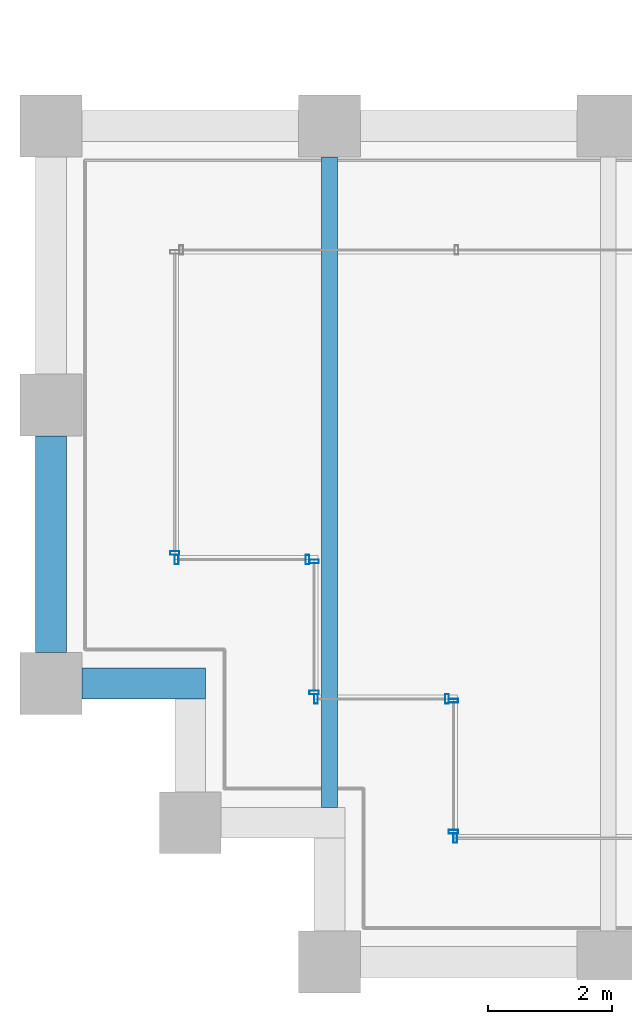
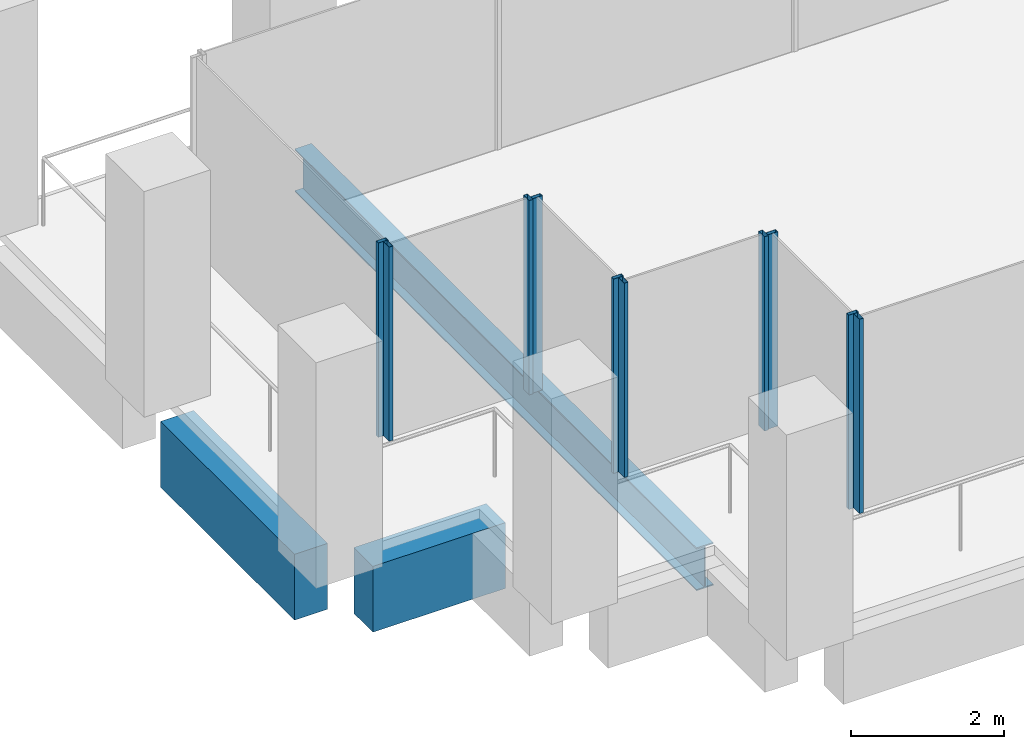
# One storey, part 2 of 46: 10 members, 3 beams, 6 elements without a shape of their own.
"""IFC4 building model written with IfcOpenShell, lengths in metres."""

import ifcopenshell
import ifcopenshell.guid

model = None  # the IFC model being written
_history = None  # IfcOwnerHistory: only IFC2X3 demands one
_inside = {}  # id of a spatial element -> (the spatial element, [elements in it])
_under = {}  # id of a project, library or spatial element -> (it, [spatial elements below it])
_declared = {}  # id of a project -> (the project, [libraries it declares])
_typed = {}  # id of a type object -> (the type object, [elements of that type])
_made_of = {}  # id of a material, layer set ... -> (it, [elements and type objects made of it])


def new_model(schema):
    """Start an empty IFC model of exactly this schema.

    Asked for "IFC4X3", IfcOpenShell would pick the latest addendum, in which some entities
    have other attributes; the version numbers below select the first issue.
    IFC2X3 requires an IfcOwnerHistory on every rooted entity: one is made here for all.
    """
    global model, _history
    if schema == "IFC4X3":
        model = ifcopenshell.file(schema_version=(4, 3, 0, 0))
    else:
        model = ifcopenshell.file(schema=schema)
    _inside.clear()
    _under.clear()
    _declared.clear()
    _typed.clear()
    _made_of.clear()
    _history = None
    if model.schema == "IFC2X3":
        org = make("IfcOrganization", Name="unknown")
        user = make(
            "IfcPersonAndOrganization",
            ThePerson=make("IfcPerson", FamilyName="unknown"),
            TheOrganization=org,
        )
        app = make(
            "IfcApplication",
            ApplicationDeveloper=org,
            Version="unknown",
            ApplicationFullName="unknown",
            ApplicationIdentifier="unknown",
        )
        _history = make(
            "IfcOwnerHistory",
            OwningUser=user,
            OwningApplication=app,
            ChangeAction="ADDED",
            CreationDate=0,
        )
    return model


def make(cls, **values):
    """One entity of the class cls with the attributes given. An attribute that is None is left unset."""
    return model.create_entity(
        cls, **{name: value for name, value in values.items() if value is not None}
    )


def rooted(cls, **values):
    """An entity with a GlobalId (a new one), such as an element, a storey or a relation."""
    return make(cls, GlobalId=ifcopenshell.guid.new(), OwnerHistory=_history, **values)


def si_unit(unit_type, name, prefix=None):
    """IfcSIUnit, for example si_unit("LENGTHUNIT", "METRE", prefix="MILLI")."""
    return make("IfcSIUnit", UnitType=unit_type, Prefix=prefix, Name=name)


def assignment(units):
    """IfcUnitAssignment: the units of a project."""
    return None if units is None else make("IfcUnitAssignment", Units=units)


def point(xyz):
    """IfcCartesianPoint."""
    return None if xyz is None else make("IfcCartesianPoint", Coordinates=xyz)


def direction(xyz):
    """IfcDirection."""
    return None if xyz is None else make("IfcDirection", DirectionRatios=xyz)


def frame(location, z_axis=None, x_axis=None):
    """IfcAxis2Placement3D, a coordinate frame: its origin and axes. An axis left out is left unset."""
    return make(
        "IfcAxis2Placement3D",
        Location=point(location),
        Axis=direction(z_axis),
        RefDirection=direction(x_axis),
    )


def frame_2d(location, x_axis=None):
    """IfcAxis2Placement2D, a coordinate frame in the plane: its origin and x axis."""
    return make(
        "IfcAxis2Placement2D", Location=point(location), RefDirection=direction(x_axis)
    )


def origin():
    """The frame at (0, 0, 0) with its axes left unset."""
    return frame((0.0, 0.0, 0.0))


def origin_2d():
    """The frame at (0, 0) in the plane with its x axis left unset."""
    return frame_2d((0.0, 0.0))


def place(relative_to, where):
    """IfcLocalPlacement: puts the frame where relative to a parent placement (None: the world)."""
    return make(
        "IfcLocalPlacement", PlacementRelTo=relative_to, RelativePlacement=where
    )


def context(
    kind, dimensions, precision=None, world=None, true_north=None, identifier=None
):
    """IfcGeometricRepresentationContext, for example the 3D "Model" context."""
    return make(
        "IfcGeometricRepresentationContext",
        ContextIdentifier=identifier,
        ContextType=kind,
        CoordinateSpaceDimension=dimensions,
        Precision=precision,
        WorldCoordinateSystem=world,
        TrueNorth=true_north,
    )


def subcontext(parent, identifier, kind, view, scale=None):
    """IfcGeometricRepresentationSubContext, for example "Body" below "Model"."""
    return make(
        "IfcGeometricRepresentationSubContext",
        ContextIdentifier=identifier,
        ContextType=kind,
        ParentContext=parent,
        TargetScale=scale,
        TargetView=view,
    )


def project(units=None, contexts=None):
    """IfcProject with its units and contexts."""
    return rooted(
        "IfcProject",
        Name="project",
        RepresentationContexts=contexts,
        UnitsInContext=assignment(units),
    )


def spatial(cls, under=None, at=None, **own):
    """A site, building, storey or space (cls), placed at a placement, below another one or the project."""
    s = rooted(cls, ObjectPlacement=at, **own)
    if under is not None:
        _under.setdefault(under.id(), (under, []))[1].append(s)
    return s


def profile(cls, at=None, kind="AREA", **sizes):
    """A parametric profile (cls). Its sizes go by their IFC names, for example OverallWidth=200.0."""
    return make(cls, ProfileType=kind, Position=at, **sizes)


def rectangle(**sizes):
    """IfcRectangleProfileDef."""
    return profile("IfcRectangleProfileDef", **sizes)


def hollow_rectangle(**sizes):
    """IfcRectangleHollowProfileDef."""
    return profile("IfcRectangleHollowProfileDef", **sizes)


def i_section(**sizes):
    """IfcIShapeProfileDef."""
    return profile("IfcIShapeProfileDef", **sizes)


def extrude(swept, where, along, depth):
    """IfcExtrudedAreaSolid: the profile swept, set in the frame where, extruded along a direction by depth."""
    return make(
        "IfcExtrudedAreaSolid",
        SweptArea=swept,
        Position=where,
        ExtrudedDirection=direction(along),
        Depth=depth,
    )


def shape(context_of_items, identifier, shape_type, items):
    """IfcShapeRepresentation: the items that make up one representation, for example the "Body"."""
    return make(
        "IfcShapeRepresentation",
        ContextOfItems=context_of_items,
        RepresentationIdentifier=identifier,
        RepresentationType=shape_type,
        Items=items,
    )


def material(Name=None, Category=None):
    """IfcMaterial."""
    return make("IfcMaterial", Name=Name, Category=Category)


def material_profile(
    of_material, cross_section, Name=None, Category=None, Priority=None
):
    """IfcMaterialProfile: a cross section and its material."""
    return make(
        "IfcMaterialProfile",
        Name=Name,
        Material=of_material,
        Profile=cross_section,
        Priority=Priority,
        Category=Category,
    )


def profile_set(profiles, Name=None, composite=None):
    """IfcMaterialProfileSet."""
    return make(
        "IfcMaterialProfileSet",
        Name=Name,
        MaterialProfiles=profiles,
        CompositeProfile=composite,
    )


def made_of(thing, what):
    """Note that an element or type object is made of a material, layer set ...; save() writes the relation."""
    if what is not None:
        _made_of.setdefault(what.id(), (what, []))[1].append(thing)
    return thing


def type_object(cls, material=None, **own):
    """A type object (cls), such as IfcWallType, which elements share."""
    return made_of(rooted(cls, **own), material)


def element(
    cls,
    number,
    at=None,
    inside=None,
    cuts=None,
    type_object=None,
    material=None,
    context=None,
    identifier="Body",
    shape_type=None,
    held_by="IfcProductDefinitionShape",
    body=None,
    shapes=None,
    **own,
):
    """One element of the class cls, such as IfcWall. Its Tag is "e" and its number.

    at: its placement. inside: the storey or other place that contains it. cuts: it is an
    opening in that element (IfcRelVoidsElement). A single representation is given by context,
    identifier, shape_type and body (its items); several are given by shapes. held_by: the class
    of the entity that holds the representations. save() writes the other relations.
    """
    e = rooted(cls, Tag="e%d" % number, ObjectPlacement=at, **own)
    if body is not None:
        shapes = [shape(context, identifier, shape_type, body)]
    if shapes is not None:
        e.Representation = make(held_by, Representations=shapes)
    if inside is not None:
        _inside.setdefault(inside.id(), (inside, []))[1].append(e)
    if cuts is not None:
        rooted(
            "IfcRelVoidsElement", RelatingBuildingElement=cuts, RelatedOpeningElement=e
        )
    if type_object is not None:
        _typed.setdefault(type_object.id(), (type_object, []))[1].append(e)
    return made_of(e, material)


def aggregate(whole, parts):
    """IfcRelAggregates: a whole, such as a stair, and the parts it consists of."""
    return rooted("IfcRelAggregates", RelatingObject=whole, RelatedObjects=parts)


def save(model, path):
    """Write the relations noted so far, then the file.

    IfcRelAggregates (storeys below a building ...), IfcRelContainedInSpatialStructure (elements
    in a storey), IfcRelDefinesByType, IfcRelAssociatesMaterial and IfcRelDeclares: one each for
    every whole, place, type object, material and project.
    """
    for whole, parts in _under.values():
        aggregate(whole, parts)
    for where, things in _inside.values():
        rooted(
            "IfcRelContainedInSpatialStructure",
            RelatedElements=things,
            RelatingStructure=where,
        )
    for kind, things in _typed.values():
        rooted("IfcRelDefinesByType", RelatedObjects=things, RelatingType=kind)
    for what, things in _made_of.values():
        rooted("IfcRelAssociatesMaterial", RelatedObjects=things, RelatingMaterial=what)
    for by, libraries in _declared.values():
        rooted("IfcRelDeclares", RelatingContext=by, RelatedDefinitions=libraries)
    model.write(path)


model = new_model("IFC4")

# Units and contexts
model_context = context("Model", 3, precision=1e-05, world=origin(), true_north=direction((0.0, 1.0)))
body_context = subcontext(model_context, "Body", "Model", "MODEL_VIEW")
ifc_project = project(units=[si_unit("LENGTHUNIT", "METRE"), si_unit("AREAUNIT", "SQUARE_METRE"), si_unit("VOLUMEUNIT", "CUBIC_METRE"), si_unit("PLANEANGLEUNIT", "RADIAN"), si_unit("MASSUNIT", "GRAM", prefix="KILO")], contexts=[model_context])

# Site, building, storey
site_placement = place(None, origin())
site = spatial("IfcSite", under=ifc_project, at=site_placement, CompositionType="ELEMENT")
building_placement = place(site_placement, origin())
building = spatial("IfcBuilding", under=site, at=building_placement, Name="Altepetl Exchange Towers", CompositionType="ELEMENT")
storey_placement = place(building_placement, frame((0.0, 0.0, 135.199951171875)))
storey = spatial("IfcBuildingStorey", under=building, at=storey_placement, Name="L33", CompositionType="ELEMENT", Elevation=135.199951171875)

# Beam
ifc_material_1 = material(Name="Steel S355", Category="steel")
ifc_material_profile_1 = material_profile(ifc_material_1, i_section(OverallWidth=0.25390625, OverallDepth=0.68408203125, WebThickness=0.012451171875, FlangeThickness=0.018798828125, at=origin_2d()), Name="W27X94")
ifc_profile_set_1 = profile_set([ifc_material_profile_1], Name="Steel S355")
beam_type_1 = type_object("IfcBeamType", Name="Floor beam W27X94", PredefinedType="BEAM", material=ifc_profile_set_1)
beam_1_placement = place(storey_placement, frame((31.5, 29.5, -0.491943359375), z_axis=(0.0, 1.0, 0.0), x_axis=(-1.0, 0.0, 0.0)))
element("IfcBeam", 1, at=beam_1_placement, inside=storey, type_object=beam_type_1, Name="bm:A:L33:012", PredefinedType="BEAM", context=body_context, shape_type="SweptSolid", body=[
    extrude(i_section(OverallWidth=0.25390625, OverallDepth=0.68408203125, WebThickness=0.012451171875, FlangeThickness=0.018798828125, at=origin_2d()), origin(), (0.0, 0.0, 1.0), 10.5),
])

# Curtain wall, member
ifc_material_2 = material(Name="Aluminium 6063-T6 glazing", Category="aluminium")
curtain_wall_type = type_object("IfcCurtainWallType", Name="Loggia glazing system", PredefinedType="NOTDEFINED", material=ifc_material_2)
curtain_wall_1_placement = place(storey_placement, origin())
curtain_wall_1 = element("IfcCurtainWall", 2, at=curtain_wall_1_placement, inside=storey, type_object=curtain_wall_type, Name="CW1 run", PredefinedType="NOTDEFINED")
ifc_material_3 = material(Name="Aluminium 6063-T6", Category="aluminium")
ifc_material_profile_2 = material_profile(ifc_material_3, hollow_rectangle(XDim=0.06005859375, YDim=0.14990234375, WallThickness=0.0029296875, at=origin_2d()), Name="Mullion 60x150 aluminium")
ifc_profile_set_2 = profile_set([ifc_material_profile_2], Name="Aluminium 6063-T6")
member_type = type_object("IfcMemberType", Name="Mullion 60x150 aluminium", PredefinedType="MULLION", material=ifc_profile_set_2)
member_1_placement = place(storey_placement, frame((29.0, 33.60498046875, 0.0), z_axis=(0.0, 0.0, 1.0), x_axis=(0.0, -1.0, 0.0)))
member_1 = element("IfcMember", 3, at=member_1_placement, type_object=member_type, Name="MU1 mullion", PredefinedType="MULLION", context=body_context, shape_type="SweptSolid", body=[
    extrude(hollow_rectangle(XDim=0.06005859375, YDim=0.14990234375, WallThickness=0.0029296875, at=origin_2d()), origin(), (0.0, 0.0, 1.0), 3.10009765625),
])
aggregate(curtain_wall_1, [member_1])

# Curtain wall, members
curtain_wall_2_placement = place(storey_placement, origin())
curtain_wall_2 = element("IfcCurtainWall", 4, at=curtain_wall_2_placement, inside=storey, type_object=curtain_wall_type, Name="CW1 run", PredefinedType="NOTDEFINED")
member_2_placement = place(storey_placement, frame((29.030029296875, 33.5, 0.0)))
member_2 = element("IfcMember", 5, at=member_2_placement, type_object=member_type, Name="MU1 mullion", PredefinedType="MULLION", context=body_context, shape_type="SweptSolid", body=[
    extrude(hollow_rectangle(XDim=0.06005859375, YDim=0.14990234375, WallThickness=0.0029296875, at=origin_2d()), origin(), (0.0, 0.0, 1.0), 3.10009765625),
])
member_3_placement = place(storey_placement, frame((31.14501953125, 33.5, 0.0)))
member_3 = element("IfcMember", 6, at=member_3_placement, type_object=member_type, Name="MU1 mullion", PredefinedType="MULLION", context=body_context, shape_type="SweptSolid", body=[
    extrude(hollow_rectangle(XDim=0.06005859375, YDim=0.14990234375, WallThickness=0.0029296875, at=origin_2d()), origin(), (0.0, 0.0, 1.0), 3.10009765625),
])
aggregate(curtain_wall_2, [member_2, member_3])

curtain_wall_3_placement = place(storey_placement, origin())
curtain_wall_3 = element("IfcCurtainWall", 7, at=curtain_wall_3_placement, inside=storey, type_object=curtain_wall_type, Name="CW1 run", PredefinedType="NOTDEFINED")
member_4_placement = place(storey_placement, frame((31.25, 33.469970703125, 0.0), z_axis=(0.0, 0.0, 1.0), x_axis=(0.0, -1.0, 0.0)))
member_4 = element("IfcMember", 8, at=member_4_placement, type_object=member_type, Name="MU1 mullion", PredefinedType="MULLION", context=body_context, shape_type="SweptSolid", body=[
    extrude(hollow_rectangle(XDim=0.06005859375, YDim=0.14990234375, WallThickness=0.0029296875, at=origin_2d()), origin(), (0.0, 0.0, 1.0), 3.10009765625),
])
member_5_placement = place(storey_placement, frame((31.25, 31.35498046875, 0.0), z_axis=(0.0, 0.0, 1.0), x_axis=(0.0, -1.0, 0.0)))
member_5 = element("IfcMember", 9, at=member_5_placement, type_object=member_type, Name="MU1 mullion", PredefinedType="MULLION", context=body_context, shape_type="SweptSolid", body=[
    extrude(hollow_rectangle(XDim=0.06005859375, YDim=0.14990234375, WallThickness=0.0029296875, at=origin_2d()), origin(), (0.0, 0.0, 1.0), 3.10009765625),
])
aggregate(curtain_wall_3, [member_4, member_5])

curtain_wall_4_placement = place(storey_placement, origin())
curtain_wall_4 = element("IfcCurtainWall", 10, at=curtain_wall_4_placement, inside=storey, type_object=curtain_wall_type, Name="CW1 run", PredefinedType="NOTDEFINED")
member_6_placement = place(storey_placement, frame((31.280029296875, 31.25, 0.0)))
member_6 = element("IfcMember", 11, at=member_6_placement, type_object=member_type, Name="MU1 mullion", PredefinedType="MULLION", context=body_context, shape_type="SweptSolid", body=[
    extrude(hollow_rectangle(XDim=0.06005859375, YDim=0.14990234375, WallThickness=0.0029296875, at=origin_2d()), origin(), (0.0, 0.0, 1.0), 3.10009765625),
])
member_7_placement = place(storey_placement, frame((33.39501953125, 31.25, 0.0)))
member_7 = element("IfcMember", 12, at=member_7_placement, type_object=member_type, Name="MU1 mullion", PredefinedType="MULLION", context=body_context, shape_type="SweptSolid", body=[
    extrude(hollow_rectangle(XDim=0.06005859375, YDim=0.14990234375, WallThickness=0.0029296875, at=origin_2d()), origin(), (0.0, 0.0, 1.0), 3.10009765625),
])
aggregate(curtain_wall_4, [member_6, member_7])

curtain_wall_5_placement = place(storey_placement, origin())
curtain_wall_5 = element("IfcCurtainWall", 13, at=curtain_wall_5_placement, inside=storey, type_object=curtain_wall_type, Name="CW1 run", PredefinedType="NOTDEFINED")
member_8_placement = place(storey_placement, frame((33.5, 31.219970703125, 0.0), z_axis=(0.0, 0.0, 1.0), x_axis=(0.0, -1.0, 0.0)))
member_8 = element("IfcMember", 14, at=member_8_placement, type_object=member_type, Name="MU1 mullion", PredefinedType="MULLION", context=body_context, shape_type="SweptSolid", body=[
    extrude(hollow_rectangle(XDim=0.06005859375, YDim=0.14990234375, WallThickness=0.0029296875, at=origin_2d()), origin(), (0.0, 0.0, 1.0), 3.10009765625),
])
member_9_placement = place(storey_placement, frame((33.5, 29.10498046875, 0.0), z_axis=(0.0, 0.0, 1.0), x_axis=(0.0, -1.0, 0.0)))
member_9 = element("IfcMember", 15, at=member_9_placement, type_object=member_type, Name="MU1 mullion", PredefinedType="MULLION", context=body_context, shape_type="SweptSolid", body=[
    extrude(hollow_rectangle(XDim=0.06005859375, YDim=0.14990234375, WallThickness=0.0029296875, at=origin_2d()), origin(), (0.0, 0.0, 1.0), 3.10009765625),
])
aggregate(curtain_wall_5, [member_8, member_9])

# Curtain wall, member
curtain_wall_6_placement = place(storey_placement, origin())
curtain_wall_6 = element("IfcCurtainWall", 16, at=curtain_wall_6_placement, inside=storey, type_object=curtain_wall_type, Name="CW1 run", PredefinedType="NOTDEFINED")
member_10_placement = place(storey_placement, frame((33.530029296875, 29.0, 0.0)))
member_10 = element("IfcMember", 17, at=member_10_placement, type_object=member_type, Name="MU1 mullion", PredefinedType="MULLION", context=body_context, shape_type="SweptSolid", body=[
    extrude(hollow_rectangle(XDim=0.06005859375, YDim=0.14990234375, WallThickness=0.0029296875, at=origin_2d()), origin(), (0.0, 0.0, 1.0), 3.10009765625),
])
aggregate(curtain_wall_6, [member_10])

# Beams
ifc_material_4 = material(Name="Concrete C50/60 precast with cantera blanca facing", Category="concrete")
ifc_material_profile_3 = material_profile(ifc_material_4, rectangle(XDim=0.5, YDim=1.050048828125, at=origin_2d()), Name="500 x 1050")
ifc_profile_set_3 = profile_set([ifc_material_profile_3], Name="Concrete C50/60 precast with cantera blanca facing")
beam_type_2 = type_object("IfcBeamType", Name="Spandrel beam 500x1050 cantera blanca", PredefinedType="SPANDREL", material=ifc_profile_set_3)
beam_2_placement = place(storey_placement, frame((27.0, 35.5, -0.675048828125), z_axis=(0.0, -1.0, 0.0), x_axis=(1.0, 0.0, 0.0)))
element("IfcBeam", 18, at=beam_2_placement, inside=storey, type_object=beam_type_2, Name="sp:A:L33:037", PredefinedType="SPANDREL", context=body_context, shape_type="SweptSolid", body=[
    extrude(rectangle(XDim=0.5, YDim=1.050048828125, at=origin_2d()), origin(), (0.0, 0.0, 1.0), 3.5),
])
beam_3_placement = place(storey_placement, frame((27.5, 31.5, -0.675048828125), z_axis=(1.0, 0.0, 0.0), x_axis=(0.0, 1.0, 0.0)))
element("IfcBeam", 19, at=beam_3_placement, inside=storey, type_object=beam_type_2, Name="sp:A:L33:038", PredefinedType="SPANDREL", context=body_context, shape_type="SweptSolid", body=[
    extrude(rectangle(XDim=0.5, YDim=1.050048828125, at=origin_2d()), origin(), (0.0, 0.0, 1.0), 2.0),
])

save(model, "model.ifc")
